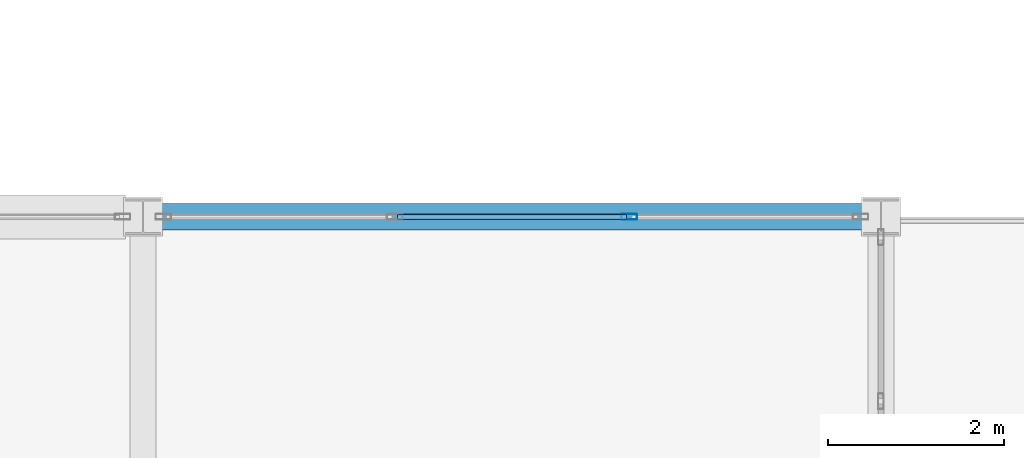
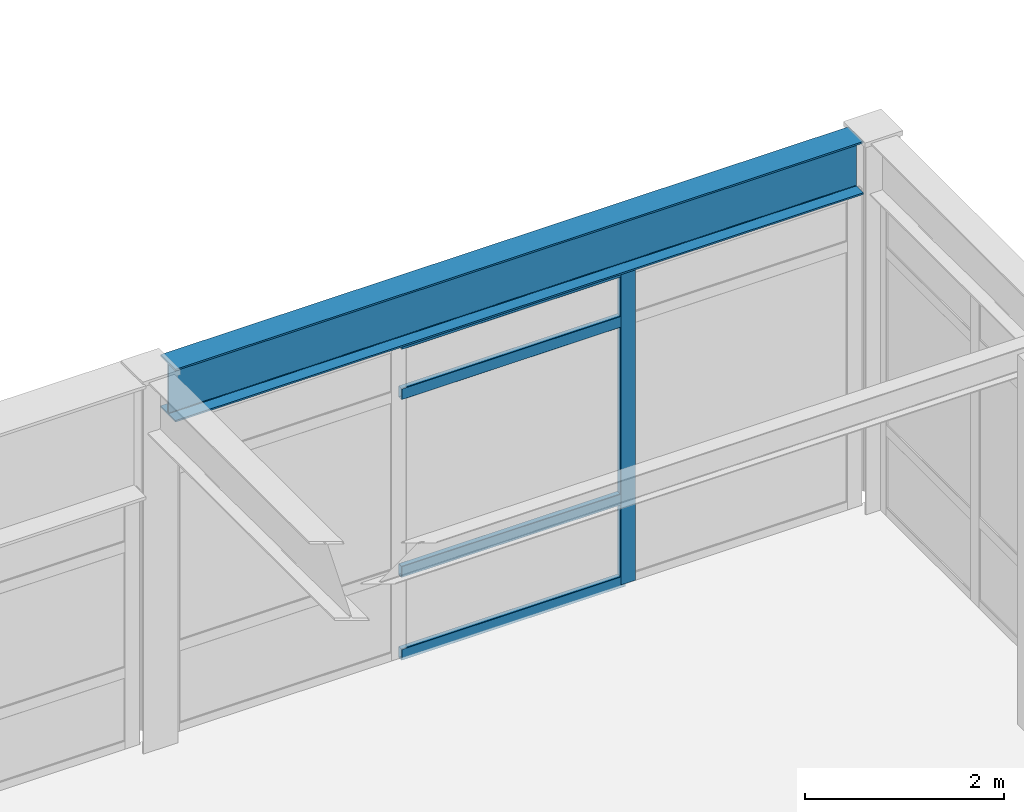
# One storey, part 37 of 93: 5 members, 1 beam, 1 element without a shape of its own.
"""IFC4 building model written with IfcOpenShell, lengths in metres."""

from ifc_helpers import new_model, si_unit, direction, frame, origin, origin_2d, place, context, subcontext, project, spatial, hollow_rectangle, i_section, extrude, material, layer, layer_set, material_profile, profile_set, type_object, element, aggregate, save


model = new_model("IFC4")

# Units and contexts
model_context = context("Model", 3, precision=1e-05, world=origin(), true_north=direction((0.0, 1.0)))
body_context = subcontext(model_context, "Body", "Model", "MODEL_VIEW")
ifc_project = project(units=[si_unit("LENGTHUNIT", "METRE"), si_unit("AREAUNIT", "SQUARE_METRE"), si_unit("VOLUMEUNIT", "CUBIC_METRE"), si_unit("PLANEANGLEUNIT", "RADIAN"), si_unit("MASSUNIT", "GRAM", prefix="KILO")], contexts=[model_context])

# Site, building, storey
site_placement = place(None, origin())
site = spatial("IfcSite", under=ifc_project, at=site_placement, CompositionType="ELEMENT")
building_placement = place(site_placement, origin())
building = spatial("IfcBuilding", under=site, at=building_placement, Name="Kazehara Bluff Congress Hotel", CompositionType="ELEMENT")
storey_placement = place(building_placement, frame((0.0, 0.0, 15.0)))
storey = spatial("IfcBuildingStorey", under=building, at=storey_placement, Name="L03", CompositionType="ELEMENT", Elevation=15.0)

# Curtain wall, members
ifc_material_1 = material(Name="Anodised aluminium", Category="aluminium")
ifc_layer = layer(ifc_material_1, 0.159912109375)
ifc_layer_set = layer_set([ifc_layer], Name="Anodised aluminium")
curtain_wall_type = type_object("IfcCurtainWallType", Name="TP-CW-76", PredefinedType="NOTDEFINED", material=ifc_layer_set)
curtain_wall_placement = place(storey_placement, origin())
curtain_wall = element("IfcCurtainWall", 1, at=curtain_wall_placement, inside=storey, type_object=curtain_wall_type, Name="L03 curtain wall CW-76 CW-V4-L03-Y5645-9305", PredefinedType="NOTDEFINED")
ifc_material_2 = material(Name="Anodised aluminium", Category="aluminium")
ifc_material_profile_1 = material_profile(ifc_material_2, hollow_rectangle(XDim=0.06494140625, YDim=0.179931640625, WallThickness=0.00390625, InnerFilletRadius=0.00390625, OuterFilletRadius=0.008056640625, at=origin_2d()))
ifc_profile_set_1 = profile_set([ifc_material_profile_1], Name="Anodised aluminium")
member_type_1 = type_object("IfcMemberType", Name="TP-CWM-02", PredefinedType="MULLION", material=ifc_profile_set_1)
member_1_placement = place(storey_placement, frame((98.38330078125, 56.449951171875, 0.0), z_axis=(0.0, 0.0, 1.0), x_axis=(0.0, 1.0, 0.0)))
member_1 = element("IfcMember", 2, at=member_1_placement, type_object=member_type_1, Name="CW-76 mullion 3", PredefinedType="MULLION", context=body_context, shape_type="SweptSolid", body=[
    extrude(hollow_rectangle(XDim=0.06494140625, YDim=0.179931640625, WallThickness=0.00390625, InnerFilletRadius=0.00390625, OuterFilletRadius=0.008056640625, at=origin_2d()), origin(), (0.0, 0.0, 1.0), 3.885009765625),
])
ifc_material_3 = material(Name="Anodised aluminium", Category="aluminium")
ifc_material_profile_2 = material_profile(ifc_material_3, hollow_rectangle(XDim=0.06494140625, YDim=0.139892578125, WallThickness=0.00390625, InnerFilletRadius=0.00390625, OuterFilletRadius=0.008056640625, at=origin_2d()))
ifc_profile_set_2 = profile_set([ifc_material_profile_2], Name="Anodised aluminium")
member_type_2 = type_object("IfcMemberType", Name="TP-CWT-02", PredefinedType="USERDEFINED", material=ifc_profile_set_2)
member_2_placement = place(storey_placement, frame((95.749267578125, 56.449951171875, 0.032470703125), z_axis=(1.0, 0.0, 0.0), x_axis=(0.0, 1.0, 0.0)))
member_2 = element("IfcMember", 3, at=member_2_placement, type_object=member_type_2, Name="CW-76 transom 2.1", ObjectType="TRANSOM", PredefinedType="USERDEFINED", context=body_context, shape_type="SweptSolid", body=[
    extrude(hollow_rectangle(XDim=0.06494140625, YDim=0.139892578125, WallThickness=0.00390625, InnerFilletRadius=0.00390625, OuterFilletRadius=0.008056640625, at=origin_2d()), origin(), (0.0, 0.0, 1.0), 2.6015625),
])
member_3_placement = place(storey_placement, frame((95.749267578125, 56.449951171875, 1.050048828125), z_axis=(1.0, 0.0, 0.0), x_axis=(0.0, 1.0, 0.0)))
member_3 = element("IfcMember", 4, at=member_3_placement, type_object=member_type_2, Name="CW-76 transom 2.2", ObjectType="TRANSOM", PredefinedType="USERDEFINED", context=body_context, shape_type="SweptSolid", body=[
    extrude(hollow_rectangle(XDim=0.06494140625, YDim=0.139892578125, WallThickness=0.00390625, InnerFilletRadius=0.00390625, OuterFilletRadius=0.008056640625, at=origin_2d()), origin(), (0.0, 0.0, 1.0), 2.6015625),
])
member_4_placement = place(storey_placement, frame((95.749267578125, 56.449951171875, 3.235107421875), z_axis=(1.0, 0.0, 0.0), x_axis=(0.0, 1.0, 0.0)))
member_4 = element("IfcMember", 5, at=member_4_placement, type_object=member_type_2, Name="CW-76 transom 2.3", ObjectType="TRANSOM", PredefinedType="USERDEFINED", context=body_context, shape_type="SweptSolid", body=[
    extrude(hollow_rectangle(XDim=0.06494140625, YDim=0.139892578125, WallThickness=0.00390625, InnerFilletRadius=0.00390625, OuterFilletRadius=0.008056640625, at=origin_2d()), origin(), (0.0, 0.0, 1.0), 2.6015625),
])
member_5_placement = place(storey_placement, frame((95.749267578125, 56.449951171875, 3.8525390625), z_axis=(1.0, 0.0, 0.0), x_axis=(0.0, 1.0, 0.0)))
member_5 = element("IfcMember", 6, at=member_5_placement, type_object=member_type_2, Name="CW-76 transom 2.4", ObjectType="TRANSOM", PredefinedType="USERDEFINED", context=body_context, shape_type="SweptSolid", body=[
    extrude(hollow_rectangle(XDim=0.06494140625, YDim=0.139892578125, WallThickness=0.00390625, InnerFilletRadius=0.00390625, OuterFilletRadius=0.008056640625, at=origin_2d()), origin(), (0.0, 0.0, 1.0), 2.6015625),
])
aggregate(curtain_wall, [member_1, member_2, member_3, member_4, member_5])

# Beam
ifc_material_4 = material(Name="Steel SN490B", Category="steel")
ifc_material_profile_3 = material_profile(ifc_material_4, i_section(OverallWidth=0.300048828125, OverallDepth=0.64990234375, WebThickness=0.011962890625, FlangeThickness=0.02001953125, FilletRadius=0.012939453125, at=origin_2d()))
ifc_profile_set_3 = profile_set([ifc_material_profile_3], Name="Steel SN490B")
beam_type = type_object("IfcBeamType", Name="TP-G-03", PredefinedType="BEAM", material=ifc_profile_set_3)
beam_placement = place(storey_placement, frame((93.050048828125, 56.449951171875, 4.235107421875), z_axis=(1.0, 0.0, 0.0), x_axis=(0.0, 1.0, 0.0)))
element("IfcBeam", 7, at=beam_placement, inside=storey, type_object=beam_type, Name="L03 girder G-03 100", PredefinedType="BEAM", context=body_context, shape_type="SweptSolid", body=[
    extrude(i_section(OverallWidth=0.300048828125, OverallDepth=0.64990234375, WebThickness=0.011962890625, FlangeThickness=0.02001953125, FilletRadius=0.012939453125, at=origin_2d()), origin(), (0.0, 0.0, 1.0), 8.0),
])

save(model, "model.ifc")
